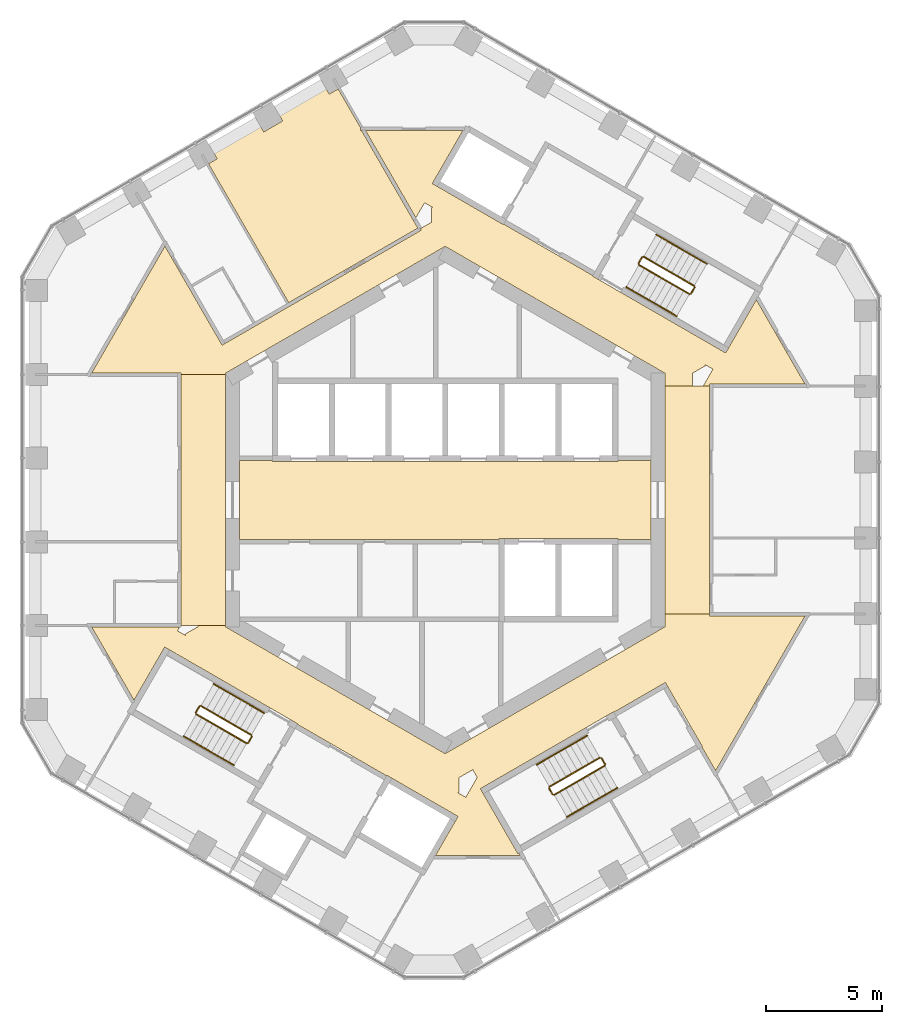
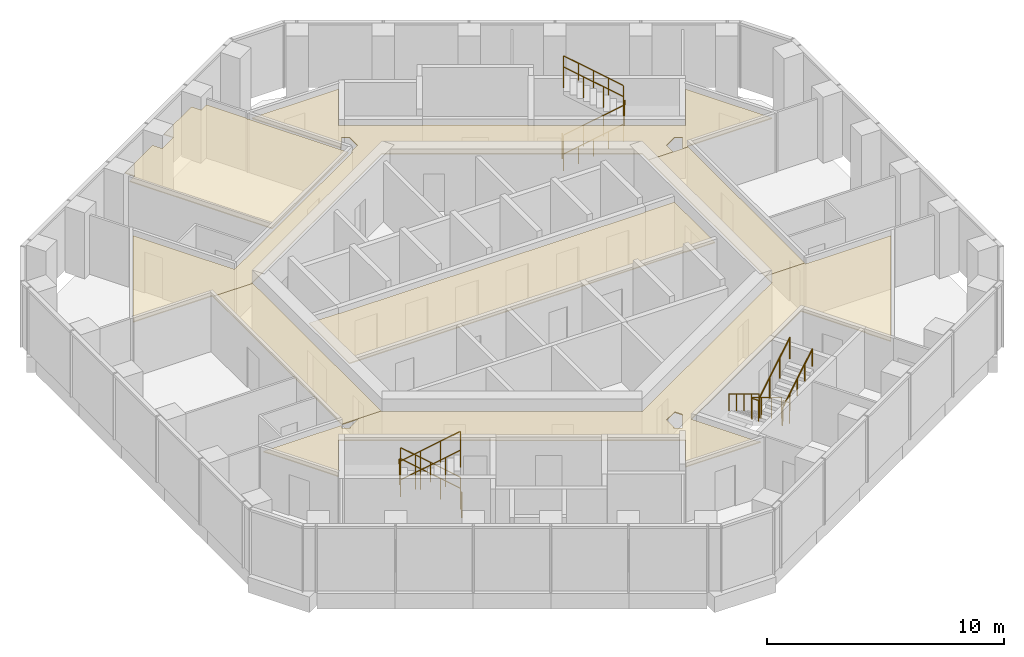
# One storey, part 18 of 18: 24 railings, 6 coverings.
"""IFC4 building model written with IfcOpenShell, lengths in metres."""

from ifc_helpers import new_model, si_unit, direction, frame, origin, origin_2d, place, context, subcontext, project, spatial, polyline, circle, outline, extrude, material, layer, layer_set, type_object, element, save


model = new_model("IFC4")

# Units and contexts
model_context = context("Model", 3, precision=1e-05, world=origin(), true_north=direction((0.0, 1.0)))
body_context = subcontext(model_context, "Body", "Model", "MODEL_VIEW")
ifc_project = project(units=[si_unit("LENGTHUNIT", "METRE"), si_unit("AREAUNIT", "SQUARE_METRE"), si_unit("VOLUMEUNIT", "CUBIC_METRE"), si_unit("PLANEANGLEUNIT", "RADIAN"), si_unit("MASSUNIT", "GRAM", prefix="KILO")], contexts=[model_context])

# Site, building, storey
site_placement = place(None, origin())
site = spatial("IfcSite", under=ifc_project, at=site_placement, CompositionType="ELEMENT")
building_placement = place(site_placement, origin())
building = spatial("IfcBuilding", under=site, at=building_placement, Name="Ayvan Gate Tower", CompositionType="ELEMENT")
storey_placement = place(building_placement, frame((0.0, 0.0, 179.89990234375)))
storey = spatial("IfcBuildingStorey", under=building, at=storey_placement, Name="L48", CompositionType="ELEMENT", Elevation=179.89990234375)

# Coverings
ifc_material_1 = material(Name="Plasterboard suspended ceiling")
ifc_layer = layer(ifc_material_1, 0.050048828125)
ifc_layer_set = layer_set([ifc_layer], Name="Plasterboard suspended ceiling")
covering_type = type_object("IfcCoveringType", Name="CT-SUSP-50", PredefinedType="CEILING", material=ifc_layer_set)
covering_1_placement = place(storey_placement, frame((0.0, 0.0, 2.7001953125)))
element("IfcCovering", 1, at=covering_1_placement, inside=storey, type_object=covering_type, Name="Ceiling Lift Lobby L48", PredefinedType="CEILING", context=body_context, shape_type="SweptSolid", body=[
    extrude(outline(polyline([(7.47509765625, -1.675048828125), (2.324951171875, -1.675048828125), (2.324951171875, -1.699951171875), (-8.89990234375, -1.699951171875), (-8.89990234375, 1.699951171875), (-7.47509765625, 1.699951171875), (-7.47509765625, 1.675048828125), (7.47509765625, 1.675048828125), (7.47509765625, 1.699951171875), (8.89990234375, 1.699951171875), (8.89990234375, -1.699951171875), (7.47509765625, -1.699951171875), (7.47509765625, -1.675048828125)])), origin(), (0.0, 0.0, 1.0), 0.0498046875),
])
covering_2_placement = place(storey_placement, frame((0.0, 0.0, 2.7001953125)))
element("IfcCovering", 2, at=covering_2_placement, inside=storey, type_object=covering_type, Name="Ceiling Gallery L48", PredefinedType="CEILING", context=body_context, shape_type="SweptSolid", body=[
    extrude(outline(polyline([(-11.914794921875, -6.48681640625), (-12.131103515625, -6.36181640625), (-13.458984375, -8.66162109375), (-15.284423828125, -5.500244140625), (-11.489501953125, -5.500244140625), (-11.580322265625, -5.65771484375), (-11.2294921875, -5.8603515625), (-11.259765625, -5.80810546875), (-10.699951171875, -5.48486328125), (-10.699951171875, -5.42529296875), (-9.5, -5.42529296875), (-9.5, -5.48486328125), (0.0, -10.9697265625), (8.38720703125, -6.127197265625), (9.5, -5.48486328125), (9.5, -4.931884765625), (11.4248046875, -4.931884765625), (11.4248046875, -5.0068359375), (15.5693359375, -5.0068359375), (11.697998046875, -11.711669921875), (11.102294921875, -10.6796875), (11.123779296875, -10.667236328125), (9.623779296875, -8.069091796875), (9.52392578125, -7.89599609375), (7.2939453125, -9.183349609375), (7.281494140625, -9.16162109375), (1.522216796875, -12.48681640625), (1.647216796875, -12.703369140625), (3.147216796875, -15.30126953125), (3.190673828125, -15.2763671875), (3.25439453125, -15.38671875), (-0.42529296875, -15.38671875), (0.43115234375, -13.9033203125), (0.55615234375, -13.686767578125), (-2.284423828125, -12.046630859375), (-2.518310546875, -11.91162109375), (-2.53076171875, -11.933349609375), (-6.384521484375, -9.70849609375), (-6.3720703125, -9.686767578125), (-11.91455078125, -6.48681640625), (-11.914794921875, -6.48681640625)]), holes=[polyline([(0.53955078125, -12.6552734375), (0.890380859375, -12.85791015625), (1.385498046875, -12.0), (1.193115234375, -11.66650390625), (0.60009765625, -12.0087890625), (0.60009765625, -12.6552734375), (0.53955078125, -12.6552734375)])]), origin(), (0.0, 0.0, 1.0), 0.0498046875),
])
covering_3_placement = place(storey_placement, frame((0.0, 0.0, 2.7001953125)))
element("IfcCovering", 3, at=covering_3_placement, inside=storey, type_object=covering_type, Name="Ceiling Gallery L48", PredefinedType="CEILING", context=body_context, shape_type="SweptSolid", body=[
    extrude(outline(polyline([(-9.518798828125, 6.773193359375), (-9.5185546875, 6.773193359375), (-1.041259765625, 11.66748046875), (-1.078857421875, 11.732421875), (-0.60009765625, 12.0087890625), (-0.60009765625, 12.6552734375), (-0.53955078125, 12.6552734375), (-0.890380859375, 12.85791015625), (-1.26611328125, 12.206787109375), (-3.448486328125, 15.98681640625), (0.771728515625, 15.98681640625), (-0.55615234375, 13.686767578125), (-0.339599609375, 13.561767578125), (2.518310546875, 11.91162109375), (2.53076171875, 11.933349609375), (6.384521484375, 9.70849609375), (6.3720703125, 9.686767578125), (6.588623046875, 9.561767578125), (12.131103515625, 6.36181640625), (12.24609375, 6.56103515625), (13.458984375, 8.661865234375), (15.5693359375, 5.0068359375), (11.425048828125, 5.0068359375), (11.425048828125, 4.931884765625), (11.1611328125, 4.931884765625), (11.580322265625, 5.65771484375), (11.2294921875, 5.8603515625), (11.259765625, 5.80810546875), (10.699951171875, 5.48486328125), (10.699951171875, 4.931884765625), (9.5, 4.931884765625), (9.5, 5.48486328125), (0.0, 10.9697265625), (-9.02099609375, 5.76123046875), (-9.5, 5.48486328125), (-9.5, 5.42529296875), (-11.425048828125, 5.42529296875), (-11.425048828125, 5.500244140625), (-15.284423828125, 5.500244140625), (-12.12060546875, 10.97998046875), (-9.648681640625, 6.697998046875), (-9.518798828125, 6.773193359375)])), origin(), (0.0, 0.0, 1.0), 0.0498046875),
])
covering_4_placement = place(storey_placement, frame((0.0, 0.0, 2.7001953125)))
element("IfcCovering", 4, at=covering_4_placement, inside=storey, type_object=covering_type, Name="Ceiling Lift Lounge Lobby L48", PredefinedType="CEILING", context=body_context, shape_type="SweptSolid", body=[
    extrude(outline(polyline([(11.4248046875, -4.931884765625), (9.5, -4.931884765625), (9.5, 4.931884765625), (11.425048828125, 4.931884765625), (11.425048828125, -4.856689453125), (11.4248046875, -4.856689453125), (11.4248046875, -4.931884765625)])), origin(), (0.0, 0.0, 1.0), 0.0498046875),
])
covering_5_placement = place(storey_placement, frame((0.0, 0.0, 2.7001953125)))
element("IfcCovering", 5, at=covering_5_placement, inside=storey, type_object=covering_type, Name="Ceiling Lift Lounge Lobby L48", PredefinedType="CEILING", context=body_context, shape_type="SweptSolid", body=[
    extrude(outline(polyline([(-11.4248046875, -5.35009765625), (-11.425048828125, 5.42529296875), (-9.5, 5.42529296875), (-9.5, -5.42529296875), (-11.4248046875, -5.42529296875), (-11.4248046875, -5.35009765625)])), origin(), (0.0, 0.0, 1.0), 0.0498046875),
])
covering_6_placement = place(storey_placement, frame((0.0, 0.0, 2.7001953125)))
element("IfcCovering", 6, at=covering_6_placement, inside=storey, type_object=covering_type, Name="Ceiling Social Lounge L48", PredefinedType="CEILING", context=body_context, shape_type="SweptSolid", body=[
    extrude(outline(polyline([(-10.236083984375, 14.54150390625), (-9.8623046875, 14.757568359375), (-10.099609375, 15.1689453125), (-8.0869140625, 16.3310546875), (-7.849365234375, 15.919677734375), (-7.026611328125, 16.394775390625), (-7.26416015625, 16.805908203125), (-5.251220703125, 17.968017578125), (-5.013916015625, 17.556884765625), (-4.6279296875, 17.779541015625), (-3.653564453125, 16.091796875), (-3.653564453125, 15.98681640625), (-3.558349609375, 15.98681640625), (-3.60595703125, 15.959228515625), (-1.37451171875, 12.09423828125), (-1.181396484375, 11.759765625), (-6.767822265625, 8.534423828125), (-10.236083984375, 14.54150390625)])), origin(), (0.0, 0.0, 1.0), 0.0498046875),
])

# Railings
ifc_material_2 = material(Name="Stainless steel balustrade", Category="steel")
railing_type_1 = type_object("IfcRailingType", Name="RL-GUARD-1100", PredefinedType="GUARDRAIL", material=ifc_material_2)
railing_1_placement = place(storey_placement, frame((8.381103515625, 10.16650390625, 0.170166015625)))
element("IfcRailing", 7, at=railing_1_placement, inside=storey, type_object=railing_type_1, Name="L48 STS1 stair guard 1", PredefinedType="GUARDRAIL", context=body_context, shape_type="SweptSolid", body=[
    extrude(circle(Radius=0.02392578125, at=origin_2d()), frame((0.0, 0.0, 1.076171875), z_axis=(0.740261155115, -0.427395438142, 0.518986090067), x_axis=(0.500004791531, 0.866022637375, 0.0)), (0.0, 0.0, 1.0), 2.947998046875),
    extrude(circle(Radius=0.02099609375, at=origin_2d()), origin(), (0.0, 0.0, 1.0), 1.052001953125),
    extrude(circle(Radius=0.02099609375, at=origin_2d()), frame((0.7275390625, -0.419921875, 0.510009765625)), (0.0, 0.0, 1.0), 1.052001953125),
    extrude(circle(Radius=0.02099609375, at=origin_2d()), frame((1.454833984375, -0.840087890625, 1.02001953125)), (0.0, 0.0, 1.0), 1.052001953125),
    extrude(circle(Radius=0.02099609375, at=origin_2d()), frame((2.182373046875, -1.260009765625, 1.530029296875)), (0.0, 0.0, 1.0), 1.052001953125),
])
railing_2_placement = place(storey_placement, frame((10.6318359375, 8.9248046875, 1.7001953125)))
element("IfcRailing", 8, at=railing_2_placement, inside=storey, type_object=railing_type_1, Name="L48 STS1 stair guard 2", PredefinedType="GUARDRAIL", context=body_context, shape_type="SweptSolid", body=[
    extrude(circle(Radius=0.02392578125, at=origin_2d()), frame((0.0, 0.0, 1.076171875), z_axis=(0.499949632511, 0.866054481515, 0.0), x_axis=(-0.866054481515, 0.499949632511, 0.0)), (0.0, 0.0, 1.0), 0.31005859375),
    extrude(circle(Radius=0.02099609375, at=origin_2d()), origin(), (0.0, 0.0, 1.0), 1.052001953125),
    extrude(circle(Radius=0.02099609375, at=origin_2d()), frame((0.155029296875, 0.2685546875, 0.0)), (0.0, 0.0, 1.0), 1.052001953125),
])
railing_3_placement = place(storey_placement, frame((10.7685546875, 9.261474609375, 1.8701171875)))
element("IfcRailing", 9, at=railing_3_placement, inside=storey, type_object=railing_type_1, Name="L48 STS1 stair guard 3", PredefinedType="GUARDRAIL", context=body_context, shape_type="SweptSolid", body=[
    extrude(circle(Radius=0.02392578125, at=origin_2d()), frame((0.0, 0.0, 1.076171875), z_axis=(-0.740261155115, 0.427395438142, 0.518986090067), x_axis=(-0.500004791531, -0.866022637375, 0.0)), (0.0, 0.0, 1.0), 2.947998046875),
    extrude(circle(Radius=0.02099609375, at=origin_2d()), origin(), (0.0, 0.0, 1.0), 1.052001953125),
    extrude(circle(Radius=0.02099609375, at=origin_2d()), frame((-0.7275390625, 0.419921875, 0.510009765625)), (0.0, 0.0, 1.0), 1.052001953125),
    extrude(circle(Radius=0.02099609375, at=origin_2d()), frame((-1.454833984375, 0.840087890625, 1.02001953125)), (0.0, 0.0, 1.0), 1.052001953125),
    extrude(circle(Radius=0.02099609375, at=origin_2d()), frame((-2.182373046875, 1.260009765625, 1.530029296875)), (0.0, 0.0, 1.0), 1.052001953125),
])
railing_4_placement = place(storey_placement, frame((8.36279296875, 10.23486328125, 0.0)))
element("IfcRailing", 10, at=railing_4_placement, inside=storey, type_object=railing_type_1, Name="L48 STS1 stair guard 4", PredefinedType="GUARDRAIL", context=body_context, shape_type="SweptSolid", body=[
    extrude(circle(Radius=0.02392578125, at=origin_2d()), frame((0.0, 0.0, 1.076171875), z_axis=(0.500290723946, 0.86585748916, 0.0), x_axis=(-0.86585748916, 0.500290723946, 0.0)), (0.0, 0.0, 1.0), 0.309814453125),
    extrude(circle(Radius=0.02099609375, at=origin_2d()), origin(), (0.0, 0.0, 1.0), 1.052001953125),
    extrude(circle(Radius=0.02099609375, at=origin_2d()), frame((0.155029296875, 0.268310546875, 0.0)), (0.0, 0.0, 1.0), 1.052001953125),
])
railing_5_placement = place(storey_placement, frame((-8.381103515625, -10.16650390625, 0.170166015625)))
element("IfcRailing", 11, at=railing_5_placement, inside=storey, type_object=railing_type_1, Name="L48 STS2 stair guard 1", PredefinedType="GUARDRAIL", context=body_context, shape_type="SweptSolid", body=[
    extrude(circle(Radius=0.02392578125, at=origin_2d()), frame((0.0, 0.0, 1.076171875), z_axis=(-0.740261155115, 0.427395438142, 0.518986090067), x_axis=(-0.500004791531, -0.866022637375, 0.0)), (0.0, 0.0, 1.0), 2.947998046875),
    extrude(circle(Radius=0.02099609375, at=origin_2d()), origin(), (0.0, 0.0, 1.0), 1.052001953125),
    extrude(circle(Radius=0.02099609375, at=origin_2d()), frame((-0.7275390625, 0.419921875, 0.510009765625)), (0.0, 0.0, 1.0), 1.052001953125),
    extrude(circle(Radius=0.02099609375, at=origin_2d()), frame((-1.454833984375, 0.840087890625, 1.02001953125)), (0.0, 0.0, 1.0), 1.052001953125),
    extrude(circle(Radius=0.02099609375, at=origin_2d()), frame((-2.182373046875, 1.260009765625, 1.530029296875)), (0.0, 0.0, 1.0), 1.052001953125),
])
railing_6_placement = place(storey_placement, frame((-10.6318359375, -8.9248046875, 1.7001953125)))
element("IfcRailing", 12, at=railing_6_placement, inside=storey, type_object=railing_type_1, Name="L48 STS2 stair guard 2", PredefinedType="GUARDRAIL", context=body_context, shape_type="SweptSolid", body=[
    extrude(circle(Radius=0.02392578125, at=origin_2d()), frame((0.0, 0.0, 1.076171875), z_axis=(-0.499949632511, -0.866054481515, 0.0), x_axis=(0.866054481515, -0.499949632511, 0.0)), (0.0, 0.0, 1.0), 0.31005859375),
    extrude(circle(Radius=0.02099609375, at=origin_2d()), origin(), (0.0, 0.0, 1.0), 1.052001953125),
    extrude(circle(Radius=0.02099609375, at=origin_2d()), frame((-0.155029296875, -0.2685546875, 0.0)), (0.0, 0.0, 1.0), 1.052001953125),
])
railing_7_placement = place(storey_placement, frame((-10.7685546875, -9.261474609375, 1.8701171875)))
element("IfcRailing", 13, at=railing_7_placement, inside=storey, type_object=railing_type_1, Name="L48 STS2 stair guard 3", PredefinedType="GUARDRAIL", context=body_context, shape_type="SweptSolid", body=[
    extrude(circle(Radius=0.02392578125, at=origin_2d()), frame((0.0, 0.0, 1.076171875), z_axis=(0.740261155115, -0.427395438142, 0.518986090067), x_axis=(0.500004791531, 0.866022637375, 0.0)), (0.0, 0.0, 1.0), 2.947998046875),
    extrude(circle(Radius=0.02099609375, at=origin_2d()), origin(), (0.0, 0.0, 1.0), 1.052001953125),
    extrude(circle(Radius=0.02099609375, at=origin_2d()), frame((0.7275390625, -0.419921875, 0.510009765625)), (0.0, 0.0, 1.0), 1.052001953125),
    extrude(circle(Radius=0.02099609375, at=origin_2d()), frame((1.454833984375, -0.840087890625, 1.02001953125)), (0.0, 0.0, 1.0), 1.052001953125),
    extrude(circle(Radius=0.02099609375, at=origin_2d()), frame((2.182373046875, -1.260009765625, 1.530029296875)), (0.0, 0.0, 1.0), 1.052001953125),
])
railing_8_placement = place(storey_placement, frame((-8.36279296875, -10.23486328125, 0.0)))
element("IfcRailing", 14, at=railing_8_placement, inside=storey, type_object=railing_type_1, Name="L48 STS2 stair guard 4", PredefinedType="GUARDRAIL", context=body_context, shape_type="SweptSolid", body=[
    extrude(circle(Radius=0.02392578125, at=origin_2d()), frame((0.0, 0.0, 1.076171875), z_axis=(-0.500290723946, -0.86585748916, 0.0), x_axis=(0.86585748916, -0.500290723946, 0.0)), (0.0, 0.0, 1.0), 0.309814453125),
    extrude(circle(Radius=0.02099609375, at=origin_2d()), origin(), (0.0, 0.0, 1.0), 1.052001953125),
    extrude(circle(Radius=0.02099609375, at=origin_2d()), frame((-0.155029296875, -0.268310546875, 0.0)), (0.0, 0.0, 1.0), 1.052001953125),
])
railing_9_placement = place(storey_placement, frame((6.6923828125, -11.1416015625, 0.170166015625)))
element("IfcRailing", 15, at=railing_9_placement, inside=storey, type_object=railing_type_1, Name="L48 STS3 stair guard 1", PredefinedType="GUARDRAIL", context=body_context, shape_type="SweptSolid", body=[
    extrude(circle(Radius=0.02392578125, at=origin_2d()), frame((0.0, 0.0, 1.076171875), z_axis=(-0.740261155115, -0.427395438142, 0.518986090067), x_axis=(0.500004791531, -0.866022637375, 0.0)), (0.0, 0.0, 1.0), 2.947998046875),
    extrude(circle(Radius=0.02099609375, at=origin_2d()), origin(), (0.0, 0.0, 1.0), 1.052001953125),
    extrude(circle(Radius=0.02099609375, at=origin_2d()), frame((-0.7275390625, -0.419921875, 0.510009765625)), (0.0, 0.0, 1.0), 1.052001953125),
    extrude(circle(Radius=0.02099609375, at=origin_2d()), frame((-1.454833984375, -0.840087890625, 1.02001953125)), (0.0, 0.0, 1.0), 1.052001953125),
    extrude(circle(Radius=0.02099609375, at=origin_2d()), frame((-2.182373046875, -1.260009765625, 1.530029296875)), (0.0, 0.0, 1.0), 1.052001953125),
])
railing_10_placement = place(storey_placement, frame((4.49169921875, -12.4697265625, 1.7001953125)))
element("IfcRailing", 16, at=railing_10_placement, inside=storey, type_object=railing_type_1, Name="L48 STS3 stair guard 2", PredefinedType="GUARDRAIL", context=body_context, shape_type="SweptSolid", body=[
    extrude(circle(Radius=0.02392578125, at=origin_2d()), frame((0.0, 0.0, 1.076171875), z_axis=(0.499949632511, -0.866054481515, 0.0), x_axis=(0.866054481515, 0.499949632511, 0.0)), (0.0, 0.0, 1.0), 0.31005859375),
    extrude(circle(Radius=0.02099609375, at=origin_2d()), origin(), (0.0, 0.0, 1.0), 1.052001953125),
    extrude(circle(Radius=0.02099609375, at=origin_2d()), frame((0.155029296875, -0.2685546875, 0.0)), (0.0, 0.0, 1.0), 1.052001953125),
])
railing_11_placement = place(storey_placement, frame((4.715087890625, -12.756591796875, 1.8701171875)))
element("IfcRailing", 17, at=railing_11_placement, inside=storey, type_object=railing_type_1, Name="L48 STS3 stair guard 3", PredefinedType="GUARDRAIL", context=body_context, shape_type="SweptSolid", body=[
    extrude(circle(Radius=0.02392578125, at=origin_2d()), frame((0.0, 0.0, 1.076171875), z_axis=(0.740261155115, 0.427395438142, 0.518986090067), x_axis=(-0.500004791531, 0.866022637375, 0.0)), (0.0, 0.0, 1.0), 2.947998046875),
    extrude(circle(Radius=0.02099609375, at=origin_2d()), origin(), (0.0, 0.0, 1.0), 1.052001953125),
    extrude(circle(Radius=0.02099609375, at=origin_2d()), frame((0.7275390625, 0.419921875, 0.510009765625)), (0.0, 0.0, 1.0), 1.052001953125),
    extrude(circle(Radius=0.02099609375, at=origin_2d()), frame((1.454833984375, 0.840087890625, 1.02001953125)), (0.0, 0.0, 1.0), 1.052001953125),
    extrude(circle(Radius=0.02099609375, at=origin_2d()), frame((2.182373046875, 1.260009765625, 1.530029296875)), (0.0, 0.0, 1.0), 1.052001953125),
])
railing_12_placement = place(storey_placement, frame((6.7607421875, -11.159912109375, 0.0)))
element("IfcRailing", 18, at=railing_12_placement, inside=storey, type_object=railing_type_1, Name="L48 STS3 stair guard 4", PredefinedType="GUARDRAIL", context=body_context, shape_type="SweptSolid", body=[
    extrude(circle(Radius=0.02392578125, at=origin_2d()), frame((0.0, 0.0, 1.076171875), z_axis=(0.500290723946, -0.86585748916, 0.0), x_axis=(0.86585748916, 0.500290723946, 0.0)), (0.0, 0.0, 1.0), 0.309814453125),
    extrude(circle(Radius=0.02099609375, at=origin_2d()), origin(), (0.0, 0.0, 1.0), 1.052001953125),
    extrude(circle(Radius=0.02099609375, at=origin_2d()), frame((0.155029296875, -0.268310546875, 0.0)), (0.0, 0.0, 1.0), 1.052001953125),
])
railing_type_2 = type_object("IfcRailingType", Name="RL-HANDRAIL-900", PredefinedType="HANDRAIL", material=ifc_material_2)
railing_13_placement = place(storey_placement, frame((7.8310546875, 9.2138671875, 0.170166015625)))
element("IfcRailing", 19, at=railing_13_placement, inside=storey, type_object=railing_type_2, Name="L48 STS1 stair handrail 1", PredefinedType="HANDRAIL", context=body_context, shape_type="SweptSolid", body=[
    extrude(circle(Radius=0.02392578125, at=origin_2d()), frame((0.0, 0.0, 0.8759765625), z_axis=(0.740356597536, -0.427319915356, 0.518912129772), x_axis=(0.499890179513, 0.866088799389, 0.0)), (0.0, 0.0, 1.0), 1.47412109375),
    extrude(circle(Radius=0.02099609375, at=origin_2d()), origin(), (0.0, 0.0, 1.0), 0.851806640625),
    extrude(circle(Radius=0.02099609375, at=origin_2d()), frame((0.545654296875, -0.31494140625, 0.38232421875)), (0.0, 0.0, 1.0), 0.851806640625),
    extrude(circle(Radius=0.02099609375, at=origin_2d()), frame((1.09130859375, -0.6298828125, 0.764892578125)), (0.0, 0.0, 1.0), 0.851806640625),
])
railing_14_placement = place(storey_placement, frame((8.92236328125, 8.583984375, 0.93505859375)))
element("IfcRailing", 20, at=railing_14_placement, inside=storey, type_object=railing_type_2, Name="L48 STS1 stair handrail 2", PredefinedType="HANDRAIL", context=body_context, shape_type="SweptSolid", body=[
    extrude(circle(Radius=0.02392578125, at=origin_2d()), frame((0.0, 0.0, 0.8759765625), z_axis=(0.740165700939, -0.427470949681, 0.519060037311), x_axis=(0.50011940292, 0.865956455501, 0.0)), (0.0, 0.0, 1.0), 1.47412109375),
    extrude(circle(Radius=0.02099609375, at=origin_2d()), origin(), (0.0, 0.0, 1.0), 0.851806640625),
    extrude(circle(Radius=0.02099609375, at=origin_2d()), frame((0.54541015625, -0.31494140625, 0.382568359375)), (0.0, 0.0, 1.0), 0.851806640625),
    extrude(circle(Radius=0.02099609375, at=origin_2d()), frame((1.091064453125, -0.630126953125, 0.76513671875)), (0.0, 0.0, 1.0), 0.851806640625),
])
railing_15_placement = place(storey_placement, frame((11.318603515625, 10.214111328125, 1.8701171875)))
element("IfcRailing", 21, at=railing_15_placement, inside=storey, type_object=railing_type_2, Name="L48 STS1 stair handrail 3", PredefinedType="HANDRAIL", context=body_context, shape_type="SweptSolid", body=[
    extrude(circle(Radius=0.02392578125, at=origin_2d()), frame((0.0, 0.0, 0.8759765625), z_axis=(-0.740304193401, 0.427455284825, 0.518875399983), x_axis=(-0.500035496587, -0.86600490885, 0.0)), (0.0, 0.0, 1.0), 1.47412109375),
    extrude(circle(Radius=0.02099609375, at=origin_2d()), origin(), (0.0, 0.0, 1.0), 0.851806640625),
    extrude(circle(Radius=0.02099609375, at=origin_2d()), frame((-0.545654296875, 0.31494140625, 0.38232421875)), (0.0, 0.0, 1.0), 0.851806640625),
    extrude(circle(Radius=0.02099609375, at=origin_2d()), frame((-1.09130859375, 0.630126953125, 0.764892578125)), (0.0, 0.0, 1.0), 0.851806640625),
])
railing_16_placement = place(storey_placement, frame((10.227294921875, 10.84423828125, 2.635009765625)))
element("IfcRailing", 22, at=railing_16_placement, inside=storey, type_object=railing_type_2, Name="L48 STS1 stair handrail 4", PredefinedType="HANDRAIL", context=body_context, shape_type="SweptSolid", body=[
    extrude(circle(Radius=0.02392578125, at=origin_2d()), frame((0.0, 0.0, 0.8759765625), z_axis=(-0.740292964666, 0.42728318766, 0.519033143459), x_axis=(-0.499890179513, -0.866088799389, 0.0)), (0.0, 0.0, 1.0), 1.47412109375),
    extrude(circle(Radius=0.02099609375, at=origin_2d()), origin(), (0.0, 0.0, 1.0), 0.851806640625),
    extrude(circle(Radius=0.02099609375, at=origin_2d()), frame((-0.545654296875, 0.31494140625, 0.382568359375)), (0.0, 0.0, 1.0), 0.851806640625),
    extrude(circle(Radius=0.02099609375, at=origin_2d()), frame((-1.09130859375, 0.6298828125, 0.76513671875)), (0.0, 0.0, 1.0), 0.851806640625),
])
railing_17_placement = place(storey_placement, frame((-7.8310546875, -9.2138671875, 0.170166015625)))
element("IfcRailing", 23, at=railing_17_placement, inside=storey, type_object=railing_type_2, Name="L48 STS2 stair handrail 1", PredefinedType="HANDRAIL", context=body_context, shape_type="SweptSolid", body=[
    extrude(circle(Radius=0.02392578125, at=origin_2d()), frame((0.0, 0.0, 0.8759765625), z_axis=(-0.740356597536, 0.427319915356, 0.518912129772), x_axis=(-0.499890179513, -0.866088799389, 0.0)), (0.0, 0.0, 1.0), 1.47412109375),
    extrude(circle(Radius=0.02099609375, at=origin_2d()), origin(), (0.0, 0.0, 1.0), 0.851806640625),
    extrude(circle(Radius=0.02099609375, at=origin_2d()), frame((-0.545654296875, 0.31494140625, 0.38232421875)), (0.0, 0.0, 1.0), 0.851806640625),
    extrude(circle(Radius=0.02099609375, at=origin_2d()), frame((-1.09130859375, 0.6298828125, 0.764892578125)), (0.0, 0.0, 1.0), 0.851806640625),
])
railing_18_placement = place(storey_placement, frame((-8.92236328125, -8.583984375, 0.93505859375)))
element("IfcRailing", 24, at=railing_18_placement, inside=storey, type_object=railing_type_2, Name="L48 STS2 stair handrail 2", PredefinedType="HANDRAIL", context=body_context, shape_type="SweptSolid", body=[
    extrude(circle(Radius=0.02392578125, at=origin_2d()), frame((0.0, 0.0, 0.8759765625), z_axis=(-0.740165700939, 0.427470949681, 0.519060037311), x_axis=(-0.50011940292, -0.865956455501, 0.0)), (0.0, 0.0, 1.0), 1.47412109375),
    extrude(circle(Radius=0.02099609375, at=origin_2d()), origin(), (0.0, 0.0, 1.0), 0.851806640625),
    extrude(circle(Radius=0.02099609375, at=origin_2d()), frame((-0.54541015625, 0.31494140625, 0.382568359375)), (0.0, 0.0, 1.0), 0.851806640625),
    extrude(circle(Radius=0.02099609375, at=origin_2d()), frame((-1.091064453125, 0.630126953125, 0.76513671875)), (0.0, 0.0, 1.0), 0.851806640625),
])
railing_19_placement = place(storey_placement, frame((-11.318603515625, -10.214111328125, 1.8701171875)))
element("IfcRailing", 25, at=railing_19_placement, inside=storey, type_object=railing_type_2, Name="L48 STS2 stair handrail 3", PredefinedType="HANDRAIL", context=body_context, shape_type="SweptSolid", body=[
    extrude(circle(Radius=0.02392578125, at=origin_2d()), frame((0.0, 0.0, 0.8759765625), z_axis=(0.740304193401, -0.427455284825, 0.518875399983), x_axis=(0.500035496587, 0.86600490885, 0.0)), (0.0, 0.0, 1.0), 1.47412109375),
    extrude(circle(Radius=0.02099609375, at=origin_2d()), origin(), (0.0, 0.0, 1.0), 0.851806640625),
    extrude(circle(Radius=0.02099609375, at=origin_2d()), frame((0.545654296875, -0.31494140625, 0.38232421875)), (0.0, 0.0, 1.0), 0.851806640625),
    extrude(circle(Radius=0.02099609375, at=origin_2d()), frame((1.09130859375, -0.630126953125, 0.764892578125)), (0.0, 0.0, 1.0), 0.851806640625),
])
railing_20_placement = place(storey_placement, frame((-10.227294921875, -10.84423828125, 2.635009765625)))
element("IfcRailing", 26, at=railing_20_placement, inside=storey, type_object=railing_type_2, Name="L48 STS2 stair handrail 4", PredefinedType="HANDRAIL", context=body_context, shape_type="SweptSolid", body=[
    extrude(circle(Radius=0.02392578125, at=origin_2d()), frame((0.0, 0.0, 0.8759765625), z_axis=(0.740292964666, -0.42728318766, 0.519033143459), x_axis=(0.499890179513, 0.866088799389, 0.0)), (0.0, 0.0, 1.0), 1.47412109375),
    extrude(circle(Radius=0.02099609375, at=origin_2d()), origin(), (0.0, 0.0, 1.0), 0.851806640625),
    extrude(circle(Radius=0.02099609375, at=origin_2d()), frame((0.545654296875, -0.31494140625, 0.382568359375)), (0.0, 0.0, 1.0), 0.851806640625),
    extrude(circle(Radius=0.02099609375, at=origin_2d()), frame((1.09130859375, -0.6298828125, 0.76513671875)), (0.0, 0.0, 1.0), 0.851806640625),
])
railing_21_placement = place(storey_placement, frame((6.142333984375, -10.18896484375, 0.170166015625)))
element("IfcRailing", 27, at=railing_21_placement, inside=storey, type_object=railing_type_2, Name="L48 STS3 stair handrail 1", PredefinedType="HANDRAIL", context=body_context, shape_type="SweptSolid", body=[
    extrude(circle(Radius=0.02392578125, at=origin_2d()), frame((0.0, 0.0, 0.8759765625), z_axis=(-0.740281741151, -0.427372318678, 0.518975765278), x_axis=(0.499974077718, -0.866040369504, 0.0)), (0.0, 0.0, 1.0), 1.473876953125),
    extrude(circle(Radius=0.02099609375, at=origin_2d()), origin(), (0.0, 0.0, 1.0), 0.851806640625),
    extrude(circle(Radius=0.02099609375, at=origin_2d()), frame((-0.54541015625, -0.31494140625, 0.38232421875)), (0.0, 0.0, 1.0), 0.851806640625),
    extrude(circle(Radius=0.02099609375, at=origin_2d()), frame((-1.091064453125, -0.6298828125, 0.764892578125)), (0.0, 0.0, 1.0), 0.851806640625),
])
railing_22_placement = place(storey_placement, frame((5.05126953125, -10.81884765625, 0.93505859375)))
element("IfcRailing", 28, at=railing_22_placement, inside=storey, type_object=railing_type_2, Name="L48 STS3 stair handrail 2", PredefinedType="HANDRAIL", context=body_context, shape_type="SweptSolid", body=[
    extrude(circle(Radius=0.02392578125, at=origin_2d()), frame((0.0, 0.0, 0.8759765625), z_axis=(-0.740240574041, -0.427418550694, 0.518996411419), x_axis=(0.500035496587, -0.86600490885, 0.0)), (0.0, 0.0, 1.0), 1.474365234375),
    extrude(circle(Radius=0.02099609375, at=origin_2d()), origin(), (0.0, 0.0, 1.0), 0.851806640625),
    extrude(circle(Radius=0.02099609375, at=origin_2d()), frame((-0.545654296875, -0.31494140625, 0.382568359375)), (0.0, 0.0, 1.0), 0.851806640625),
    extrude(circle(Radius=0.02099609375, at=origin_2d()), frame((-1.09130859375, -0.630126953125, 0.76513671875)), (0.0, 0.0, 1.0), 0.851806640625),
])
railing_23_placement = place(storey_placement, frame((5.264892578125, -13.709228515625, 1.8701171875)))
element("IfcRailing", 29, at=railing_23_placement, inside=storey, type_object=railing_type_2, Name="L48 STS3 stair handrail 3", PredefinedType="HANDRAIL", context=body_context, shape_type="SweptSolid", body=[
    extrude(circle(Radius=0.02392578125, at=origin_2d()), frame((0.0, 0.0, 0.8759765625), z_axis=(0.740304193401, 0.427455284825, 0.518875399983), x_axis=(-0.500035496587, 0.86600490885, 0.0)), (0.0, 0.0, 1.0), 1.47412109375),
    extrude(circle(Radius=0.02099609375, at=origin_2d()), origin(), (0.0, 0.0, 1.0), 0.851806640625),
    extrude(circle(Radius=0.02099609375, at=origin_2d()), frame((0.545654296875, 0.31494140625, 0.38232421875)), (0.0, 0.0, 1.0), 0.851806640625),
    extrude(circle(Radius=0.02099609375, at=origin_2d()), frame((1.09130859375, 0.630126953125, 0.764892578125)), (0.0, 0.0, 1.0), 0.851806640625),
])
railing_24_placement = place(storey_placement, frame((6.356201171875, -13.0791015625, 2.635009765625)))
element("IfcRailing", 30, at=railing_24_placement, inside=storey, type_object=railing_type_2, Name="L48 STS3 stair handrail 4", PredefinedType="HANDRAIL", context=body_context, shape_type="SweptSolid", body=[
    extrude(circle(Radius=0.02392578125, at=origin_2d()), frame((0.0, 0.0, 0.8759765625), z_axis=(0.740218099111, 0.427335577468, 0.519096782863), x_axis=(-0.499974077718, 0.866040369504, 0.0)), (0.0, 0.0, 1.0), 1.473876953125),
    extrude(circle(Radius=0.02099609375, at=origin_2d()), origin(), (0.0, 0.0, 1.0), 0.851806640625),
    extrude(circle(Radius=0.02099609375, at=origin_2d()), frame((0.54541015625, 0.31494140625, 0.382568359375)), (0.0, 0.0, 1.0), 0.851806640625),
    extrude(circle(Radius=0.02099609375, at=origin_2d()), frame((1.091064453125, 0.6298828125, 0.76513671875)), (0.0, 0.0, 1.0), 0.851806640625),
])

save(model, "model.ifc")
